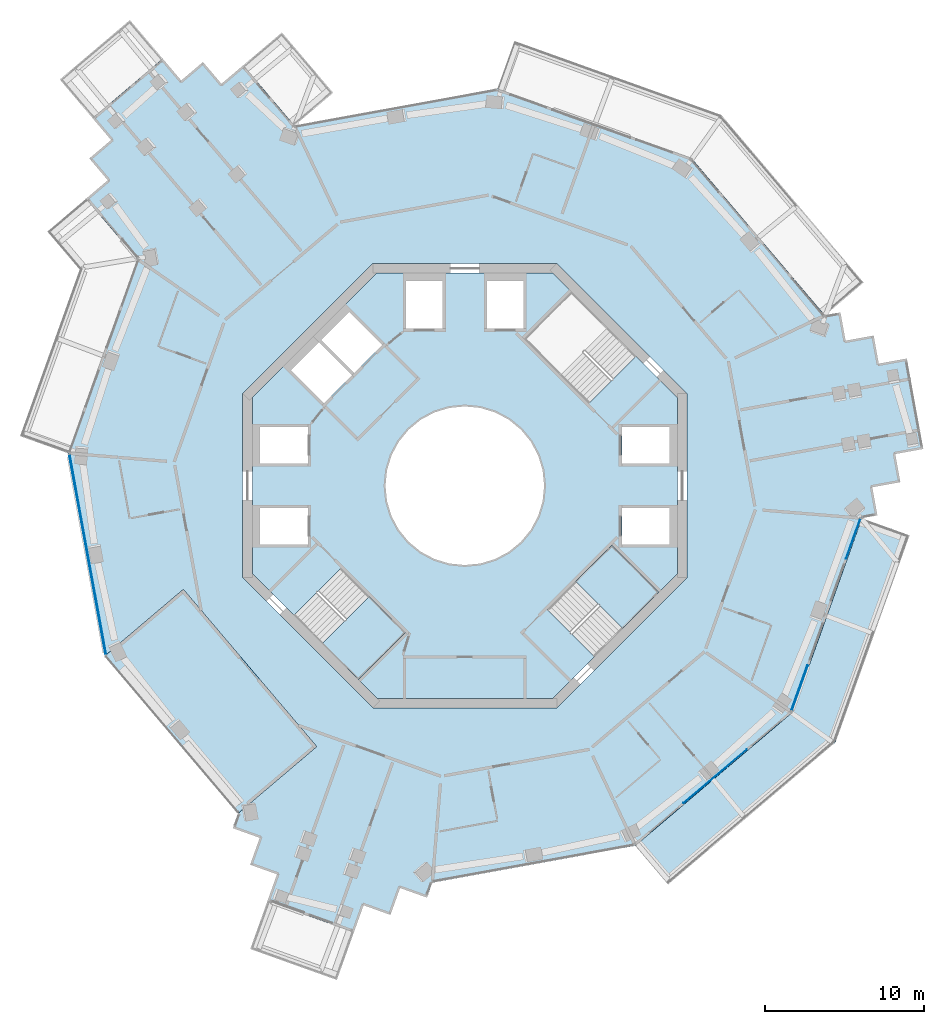
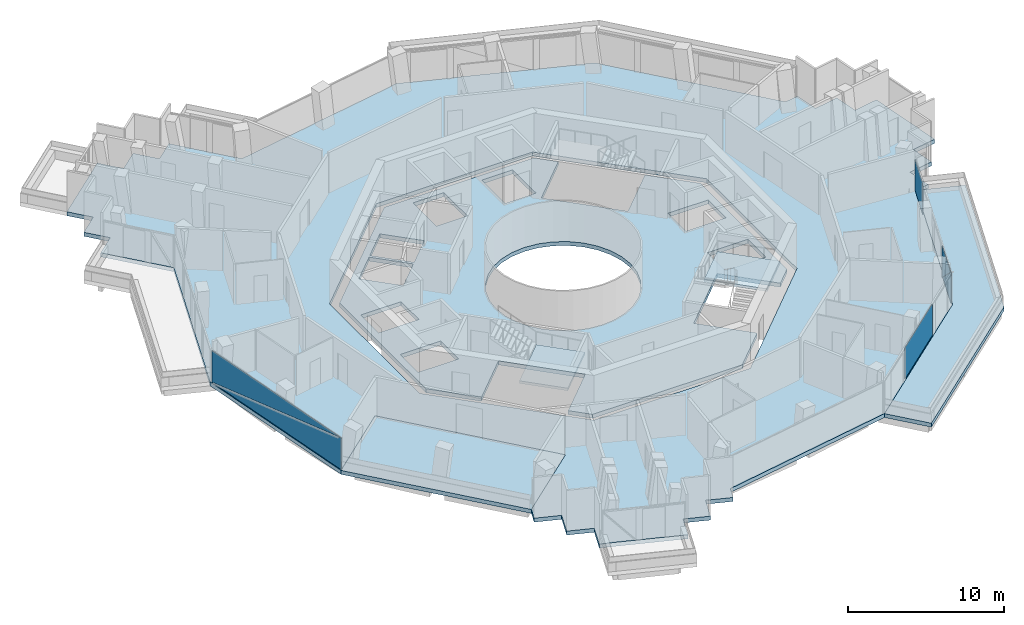
# One storey, part 10 of 21: 6 plates, 6 slabs, 5 elements without a shape of their own.
"""IFC4 building model written with IfcOpenShell, lengths in metres."""

from ifc_helpers import new_model, si_unit, direction, frame, origin, origin_2d, place, context, subcontext, project, spatial, polyline, rectangle, outline, extrude, material, layer, layer_set, type_object, element, aggregate, save


model = new_model("IFC4")

# Units and contexts
model_context = context("Model", 3, precision=1e-05, world=origin(), true_north=direction((0.0, 1.0)))
body_context = subcontext(model_context, "Body", "Model", "MODEL_VIEW")
ifc_project = project(units=[si_unit("LENGTHUNIT", "METRE"), si_unit("AREAUNIT", "SQUARE_METRE"), si_unit("VOLUMEUNIT", "CUBIC_METRE"), si_unit("PLANEANGLEUNIT", "RADIAN"), si_unit("MASSUNIT", "GRAM", prefix="KILO")], contexts=[model_context])

# Site, building, storey
site_placement = place(None, origin())
site = spatial("IfcSite", under=ifc_project, at=site_placement, CompositionType="ELEMENT")
building_placement = place(site_placement, origin())
building = spatial("IfcBuilding", under=site, at=building_placement, Name="Verdalira Terraces Hotel", CompositionType="ELEMENT")
storey_placement = place(building_placement, frame((0.0, 0.0, 197.5)))
storey = spatial("IfcBuildingStorey", under=building, at=storey_placement, Name="L48", CompositionType="ELEMENT", Elevation=197.5)

# Slab
ifc_material_1 = material(Name="Precast concrete C40/50", Category="concrete")
ifc_layer_1 = layer(ifc_material_1, 0.31005859375)
ifc_layer_set_1 = layer_set([ifc_layer_1], Name="Balcony deck 310")
slab_type_1 = type_object("IfcSlabType", Name="Balcony deck 310", PredefinedType="FLOOR", material=ifc_layer_set_1)
slab_1_placement = place(storey_placement, frame((0.0, 0.0, -0.310059)))
element("IfcSlab", 1, at=slab_1_placement, inside=storey, type_object=slab_type_1, Name="Balcony deck", PredefinedType="FLOOR", context=body_context, shape_type="SweptSolid", body=[
    extrude(outline(polyline([(28.043457, -3.126709), (25.030273, -2.049072), (20.652344, -14.289795), (10.740723, -22.701416), (12.811279, -25.141357), (23.376709, -16.174805), (28.043457, -3.126709)])), origin(), (0.0, 0.0, 1.0), 0.310059),
])

# Curtain wall, plates
ifc_material_2 = material(Name="Clear glass", Category="glass")
ifc_layer_2 = layer(ifc_material_2, 0.14990234375)
ifc_layer_set_2 = layer_set([ifc_layer_2], Name="CW1 curtain wall")
curtain_wall_type = type_object("IfcCurtainWallType", Name="CW1 curtain wall", PredefinedType="NOTDEFINED", material=ifc_layer_set_2)
curtain_wall_1_placement = place(storey_placement, origin())
curtain_wall_1 = element("IfcCurtainWall", 2, at=curtain_wall_1_placement, inside=storey, type_object=curtain_wall_type, Name="CW1 curtain wall L48 edge 12", PredefinedType="NOTDEFINED")
ifc_material_3 = material(Name="Clear glass", Category="glass")
ifc_layer_3 = layer(ifc_material_3, 0.028076171875)
ifc_layer_set_3 = layer_set([ifc_layer_3], Name="CW1 glass unit 28")
plate_type = type_object("IfcPlateType", Name="CW1 glass unit 28", PredefinedType="CURTAIN_PANEL", material=ifc_layer_set_3)
plate_1_placement = place(storey_placement, frame((-23.774658, -4.349609, 1.237549), z_axis=(-0.983822564, -0.179145645, 0.0), x_axis=(0.179145645, -0.983822564, 0.0)))
plate_1 = element("IfcPlate", 3, at=plate_1_placement, type_object=plate_type, Name="CW1 glass unit", PredefinedType="CURTAIN_PANEL", context=body_context, shape_type="SweptSolid", body=[
    extrude(outline(polyline([(-6.419922, -1.237549), (6.419922, -1.237549), (6.419922, 1.237549), (-6.419922, -1.237549)])), origin(), (0.0, 0.0, 1.0), 0.028076),
])
plate_2_placement = place(storey_placement, frame((-23.746094, -4.344238, 1.237549), z_axis=(-0.983822564, -0.179145645, 0.0), x_axis=(0.179145645, -0.983822564, 0.0)))
plate_2 = element("IfcPlate", 4, at=plate_2_placement, type_object=plate_type, Name="CW1 glass unit", PredefinedType="CURTAIN_PANEL", context=body_context, shape_type="SweptSolid", body=[
    extrude(outline(polyline([(-6.419922, -1.237549), (6.419922, 1.237549), (-6.419922, 1.237549), (-6.419922, -1.237549)])), origin(), (0.0, 0.0, 1.0), 0.028076),
])
aggregate(curtain_wall_1, [plate_1, plate_2])

# Curtain wall, plate
curtain_wall_2_placement = place(storey_placement, origin())
curtain_wall_2 = element("IfcCurtainWall", 5, at=curtain_wall_2_placement, inside=storey, type_object=curtain_wall_type, Name="CW1 curtain wall L48 edge 26", PredefinedType="NOTDEFINED")
plate_3_placement = place(storey_placement, frame((15.784668, -18.32251, 0.0), z_axis=(0.0, 0.0, 1.0), x_axis=(0.762442511, 0.647055962, 0.0)))
plate_3 = element("IfcPlate", 6, at=plate_3_placement, type_object=plate_type, Name="CW1 glass unit", PredefinedType="CURTAIN_PANEL", context=body_context, shape_type="SweptSolid", body=[
    extrude(rectangle(XDim=5.223633, YDim=0.028076, at=origin_2d()), origin(), (0.0, 0.0, 1.0), 2.475098),
])
aggregate(curtain_wall_2, [plate_3])

# Curtain wall, plates
curtain_wall_3_placement = place(storey_placement, origin())
curtain_wall_3 = element("IfcCurtainWall", 7, at=curtain_wall_3_placement, inside=storey, type_object=curtain_wall_type, Name="CW1 curtain wall L48 edge 27", PredefinedType="NOTDEFINED")
plate_4_placement = place(storey_placement, frame((21.107422, -12.753174, 1.237549), z_axis=(0.941588156, -0.336766603, 0.0), x_axis=(0.336766603, 0.941588156, 0.0)))
plate_4 = element("IfcPlate", 8, at=plate_4_placement, type_object=plate_type, Name="CW1 glass unit", PredefinedType="CURTAIN_PANEL", context=body_context, shape_type="SweptSolid", body=[
    extrude(outline(polyline([(-1.5, -1.237549), (1.5, -1.237549), (-1.5, 1.237549), (-1.5, -1.237549)])), origin(), (0.0, 0.0, 1.0), 0.028076),
])
plate_5_placement = place(storey_placement, frame((21.080078, -12.743408, 1.237549), z_axis=(0.941588156, -0.336766603, 0.0), x_axis=(0.336766603, 0.941588156, 0.0)))
plate_5 = element("IfcPlate", 9, at=plate_5_placement, type_object=plate_type, Name="CW1 glass unit", PredefinedType="CURTAIN_PANEL", context=body_context, shape_type="SweptSolid", body=[
    extrude(outline(polyline([(1.5, -1.237549), (1.5, 1.237549), (-1.5, 1.237549), (1.5, -1.237549)])), origin(), (0.0, 0.0, 1.0), 0.028076),
])
plate_6_placement = place(storey_placement, frame((24.488525, -3.341553, 0.0), z_axis=(0.0, 0.0, 1.0), x_axis=(0.336766603, 0.941588156, 0.0)))
plate_6 = element("IfcPlate", 10, at=plate_6_placement, type_object=plate_type, Name="CW1 glass unit", PredefinedType="CURTAIN_PANEL", context=body_context, shape_type="SweptSolid", body=[
    extrude(rectangle(XDim=2.678711, YDim=0.028076, at=origin_2d()), origin(), (0.0, 0.0, 1.0), 2.475098),
])
aggregate(curtain_wall_3, [plate_4, plate_5, plate_6])

# Slab
ifc_material_4 = material(Name="Concrete C40", Category="concrete")
ifc_layer_4 = layer(ifc_material_4, 0.31005859375)
ifc_layer_set_4 = layer_set([ifc_layer_4], Name="Core floor slab 310 mm")
slab_type_2 = type_object("IfcSlabType", Name="Core floor slab 310 mm", PredefinedType="FLOOR", material=ifc_layer_set_4)
slab_2_placement = place(storey_placement, frame((0.0, 0.0, -0.310059)))
element("IfcSlab", 11, at=slab_2_placement, inside=storey, type_object=slab_type_2, Name="L48 core floor", PredefinedType="FLOOR", context=body_context, shape_type="SweptSolid", body=[
    extrude(outline(polyline([(-6.703369, -12.24707), (-3.719482, -9.263184), (-7.799072, -5.18335), (-10.782959, -8.16748), (-13.399902, -5.550537), (-13.399902, 5.550537), (-5.550537, 13.399902), (5.550537, 13.399902), (6.703369, 12.24707), (3.719482, 9.263184), (7.799072, 5.18335), (10.782959, 8.16748), (13.399902, 5.550537), (13.399902, -5.550537), (12.24707, -6.703369), (9.263184, -3.719482), (5.18335, -7.799072), (8.16748, -10.782959), (5.550537, -13.399902), (-5.550537, -13.399902), (-6.703369, -12.24707)]), holes=[polyline([(9.899902, -1.399902), (9.899902, -3.699951), (12.899902, -3.699951), (12.899902, -1.399902), (9.899902, -1.399902)]), polyline([(9.899902, 3.699951), (9.899902, 1.399902), (12.899902, 1.399902), (12.899902, 3.699951), (9.899902, 3.699951)]), polyline([(3.699951, 12.899902), (1.399902, 12.899902), (1.399902, 9.899902), (3.699951, 9.899902), (3.699951, 12.899902)]), polyline([(-1.399902, 12.899902), (-3.699951, 12.899902), (-3.699951, 9.899902), (-1.399902, 9.899902), (-1.399902, 12.899902)]), polyline([(-9.899902, 1.399902), (-9.899902, 3.699951), (-12.899902, 3.699951), (-12.899902, 1.399902), (-9.899902, 1.399902)]), polyline([(-9.899902, -3.699951), (-9.899902, -1.399902), (-12.899902, -1.399902), (-12.899902, -3.699951), (-9.899902, -3.699951)]), polyline([(-9.051025, 9.192383), (-6.965088, 7.106445), (-5.197266, 8.874268), (-7.283203, 10.960205), (-9.051025, 9.192383)]), polyline([(-9.192383, 9.051025), (-10.960205, 7.283203), (-8.874268, 5.197266), (-7.106445, 6.965088), (-9.192383, 9.051025)]), polyline([(3.5354, 3.5354), (2.777832, 4.157227), (1.91333, 4.619385), (0.975586, 4.903809), (0.0, 5.0), (-0.975586, 4.903809), (-1.91333, 4.619385), (-2.777832, 4.157227), (-3.5354, 3.5354), (-4.157227, 2.777832), (-4.619385, 1.91333), (-4.903809, 0.975586), (-5.0, 0.0), (-4.903809, -0.975586), (-4.619385, -1.91333), (-4.157227, -2.777832), (-3.5354, -3.5354), (-2.777832, -4.157227), (-1.91333, -4.619385), (-0.975586, -4.903809), (0.0, -5.0), (0.975586, -4.903809), (1.91333, -4.619385), (2.777832, -4.157227), (3.5354, -3.5354), (4.157227, -2.777832), (4.619385, -1.91333), (4.903809, -0.975586), (5.0, 0.0), (4.903809, 0.975586), (4.619385, 1.91333), (4.157227, 2.777832), (3.5354, 3.5354)])]), origin(), (0.0, 0.0, 1.0), 0.310059),
])

# Stair, slab
ifc_material_5 = material(Name="Concrete C40", Category="concrete")
stair_type = type_object("IfcStairType", Name="Core stair 20 risers 2050 mm wide", PredefinedType="HALF_TURN_STAIR", material=ifc_material_5)
stair_1_placement = place(storey_placement, origin())
stair_1 = element("IfcStair", 12, at=stair_1_placement, inside=storey, type_object=stair_type, Name="L48 Exit stair ST2", PredefinedType="HALF_TURN_STAIR")
ifc_material_6 = material(Name="Concrete C40", Category="concrete")
ifc_layer_5 = layer(ifc_material_6, 0.199951171875)
ifc_layer_set_5 = layer_set([ifc_layer_5], Name="Core stair landing 200 mm")
slab_type_3 = type_object("IfcSlabType", Name="Core stair landing 200 mm", PredefinedType="LANDING", material=ifc_layer_set_5)
slab_3_placement = place(storey_placement, frame((0.0, 0.0, 1.550049)))
slab_3 = element("IfcSlab", 13, at=slab_3_placement, type_object=slab_type_3, Name="ST2 landing 1", PredefinedType="LANDING", context=body_context, shape_type="SweptSolid", body=[
    extrude(outline(polyline([(-9.001709, -9.94873), (-6.717529, -12.23291), (-3.747559, -9.263184), (-6.031982, -6.97876), (-9.001709, -9.94873)])), origin(), (0.0, 0.0, 1.0), 0.199951),
])
aggregate(stair_1, [slab_3])

stair_2_placement = place(storey_placement, origin())
stair_2 = element("IfcStair", 14, at=stair_2_placement, inside=storey, type_object=stair_type, Name="L48 Exit stair ST3", PredefinedType="HALF_TURN_STAIR")
slab_4_placement = place(storey_placement, frame((0.0, 0.0, 1.550049)))
slab_4 = element("IfcSlab", 15, at=slab_4_placement, type_object=slab_type_3, Name="ST3 landing 1", PredefinedType="LANDING", context=body_context, shape_type="SweptSolid", body=[
    extrude(outline(polyline([(9.94873, -9.001709), (12.23291, -6.717529), (9.263184, -3.747559), (6.97876, -6.031982), (9.94873, -9.001709)])), origin(), (0.0, 0.0, 1.0), 0.199951),
])
aggregate(stair_2, [slab_4])

# Slabs
ifc_material_7 = material(Name="Concrete C40", Category="concrete")
ifc_layer_6 = layer(ifc_material_7, 0.31005859375)
ifc_layer_set_6 = layer_set([ifc_layer_6], Name="Floor slab 310 C40")
slab_type_4 = type_object("IfcSlabType", Name="Floor slab 310 C40", PredefinedType="FLOOR", material=ifc_layer_set_6)
slab_5_placement = place(storey_placement, frame((0.0, 0.0, -0.310059)))
element("IfcSlab", 16, at=slab_5_placement, inside=storey, type_object=slab_type_4, Name="Floor slab L48", PredefinedType="FLOOR", context=body_context, shape_type="SweptSolid", body=[
    extrude(outline(polyline([(-20.652344, 14.289795), (-25.030273, 2.049072), (-22.701416, -10.73999), (-17.745605, -6.53418), (-9.333008, -16.446533), (-14.289795, -20.653076), (-14.289795, -20.652832), (-14.626465, -21.593994), (-12.931641, -22.200195), (-13.537842, -23.89502), (-11.843018, -24.501221), (-12.449219, -26.196045), (-6.987793, -28.149414), (-6.381592, -26.454346), (-4.687012, -27.060547), (-4.080811, -25.365723), (-2.385742, -25.971924), (-2.049072, -25.030273), (10.740479, -22.701416), (20.652344, -14.289795), (25.030273, -2.049072), (26.01416, -1.869873), (25.69165, -0.099121), (27.462646, 0.223389), (27.140137, 1.994385), (28.910889, 2.316895), (27.87207, 8.022949), (26.101074, 7.700439), (25.778564, 9.471191), (24.007812, 9.148926), (23.685303, 10.919922), (22.701416, 10.740479), (14.289795, 20.652344), (2.049072, 25.030273), (-10.740479, 22.701416), (-13.970215, 26.506836), (-15.342529, 25.342041), (-16.50708, 26.7146), (-17.879639, 25.549805), (-19.044189, 26.922119), (-23.466309, 23.169189), (-22.301758, 21.796875), (-23.674072, 20.63208), (-22.509521, 19.259766), (-23.881836, 18.095215), (-20.652344, 14.289795)]), holes=[polyline([(5.799072, 14.0), (14.0, 5.799072), (14.0, -5.799072), (5.799072, -14.0), (-5.799072, -14.0), (-14.0, -5.799072), (-14.0, 5.799072), (-5.799072, 14.0), (5.799072, 14.0)])]), origin(), (0.0, 0.0, 1.0), 0.310059),
])
ifc_material_8 = material(Name="Concrete C40", Category="concrete")
ifc_layer_7 = layer(ifc_material_8, 0.31005859375)
ifc_layer_set_7 = layer_set([ifc_layer_7], Name="Loggia floor deck 310 C40")
slab_type_5 = type_object("IfcSlabType", Name="Loggia floor deck 310 C40", PredefinedType="FLOOR", material=ifc_layer_set_7)
slab_6_placement = place(storey_placement, frame((0.0, 0.0, -0.310059)))
element("IfcSlab", 17, at=slab_6_placement, inside=storey, type_object=slab_type_5, Name="Loggia deck L48", PredefinedType="FLOOR", context=body_context, shape_type="SweptSolid", body=[
    extrude(outline(polyline([(-17.745605, -6.534912), (-22.701416, -10.740479), (-14.289795, -20.652344), (-9.33374, -16.446533), (-17.745605, -6.534912)])), origin(), (0.0, 0.0, 1.0), 0.310059),
])

save(model, "model.ifc")
